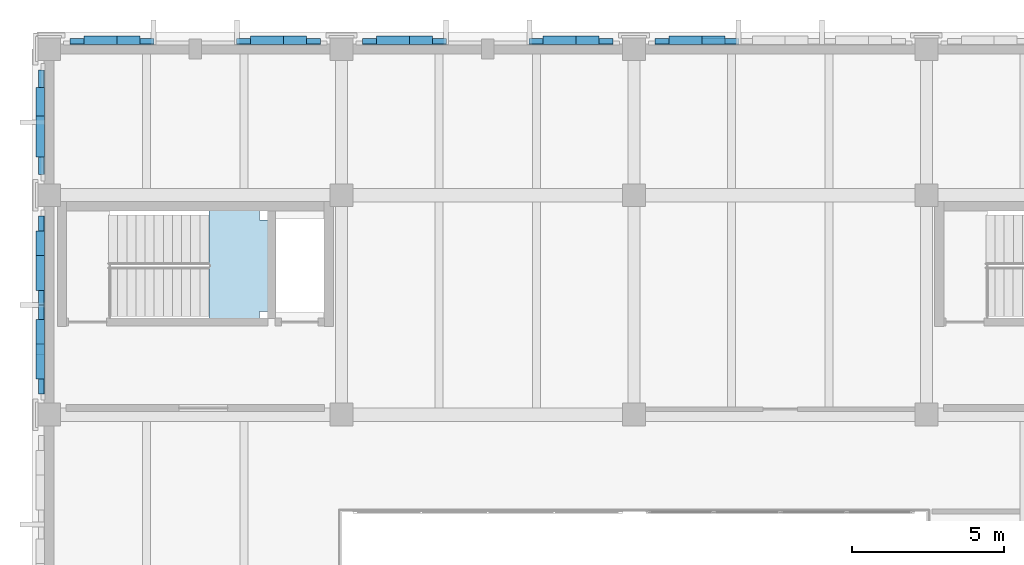
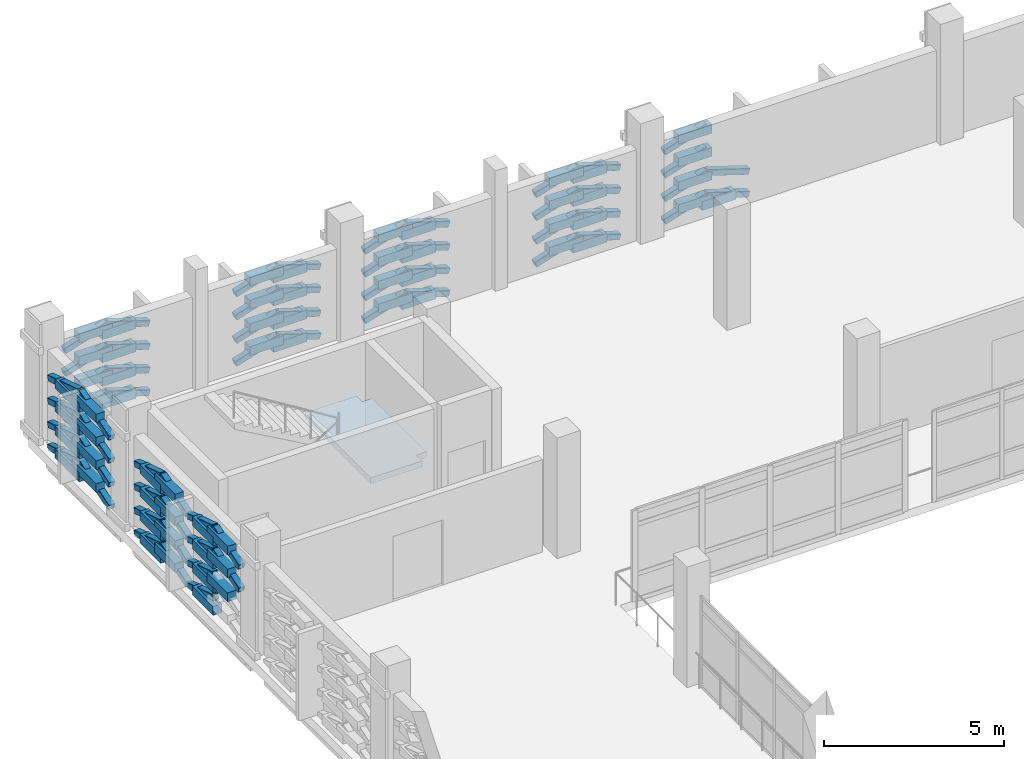
# One storey, part 135 of 180: 120 plates, 1 slab, 1 element without a shape of its own.
"""IFC4 building model written with IfcOpenShell, lengths in metres."""

from ifc_helpers import new_model, si_unit, direction, frame, origin, origin_2d, place, context, subcontext, project, spatial, polyline, rectangle, hollow_rectangle, outline, extrude, material, layer, layer_set, material_profile, profile_set, type_object, element, aggregate, save


model = new_model("IFC4")

# Units and contexts
model_context = context("Model", 3, precision=1e-05, world=origin(), true_north=direction((0.0, 1.0)))
body_context = subcontext(model_context, "Body", "Model", "MODEL_VIEW")
ifc_project = project(units=[si_unit("LENGTHUNIT", "METRE"), si_unit("AREAUNIT", "SQUARE_METRE"), si_unit("VOLUMEUNIT", "CUBIC_METRE"), si_unit("PLANEANGLEUNIT", "RADIAN"), si_unit("MASSUNIT", "GRAM", prefix="KILO")], contexts=[model_context])

# Site, building, storey
site_placement = place(None, origin())
site = spatial("IfcSite", under=ifc_project, at=site_placement, CompositionType="ELEMENT")
building_placement = place(site_placement, origin())
building = spatial("IfcBuilding", under=site, at=building_placement, Name="Asteropetra Specialist Clinic", CompositionType="ELEMENT")
storey_placement = place(building_placement, frame((0.0, 0.0, 4.419921875)))
storey = spatial("IfcBuildingStorey", under=building, at=storey_placement, Name="L01", CompositionType="ELEMENT", Elevation=4.419921875)

# Plates
ifc_material_1 = material(Name="Chevron emerald aluminium 6063-T6", Category="aluminium")
ifc_material_profile = material_profile(ifc_material_1, hollow_rectangle(XDim=0.199951171875, YDim=0.199951171875, WallThickness=0.010009765625, InnerFilletRadius=0.008056640625, OuterFilletRadius=0.01611328125, at=origin_2d()), Name="SHS 200x200x10.0")
ifc_profile_set = profile_set([ifc_material_profile], Name="Chevron emerald aluminium 6063-T6")
plate_type_1 = type_object("IfcPlateType", Name="CHV-RIB-200", PredefinedType="SHEET", material=ifc_profile_set)
for number, where, z_axis, x_axis, name in (
    (1, (8.885009765625, 110.652099609375, 0.050048828125), (-0.95244216645, 0.0, 0.304719411211), (0.0, -1.0, 0.0), "Chevron Facade Screen Fin CVR-0387"),
    (2, (7.53662109375, 110.652099609375, 0.4814453125), (-0.95244216645, 0.0, -0.304719411211), (0.0, -1.0, 0.0), "Chevron Facade Screen Fin CVR-0388"),
    (3, (8.885009765625, 110.652099609375, 0.820068359375), (-0.95244216645, 0.0, 0.304719411211), (0.0, -1.0, 0.0), "Chevron Facade Screen Fin CVR-0389"),
    (4, (7.53662109375, 110.652099609375, 1.25146484375), (-0.95244216645, 0.0, -0.304719411211), (0.0, -1.0, 0.0), "Chevron Facade Screen Fin CVR-0390"),
    (5, (8.885009765625, 110.652099609375, 1.6201171875), (-0.95244216645, 0.0, 0.304719411211), (0.0, -1.0, 0.0), "Chevron Facade Screen Fin CVR-0391"),
    (6, (7.53662109375, 110.652099609375, 2.051513671875), (-0.95244216645, 0.0, -0.304719411211), (0.0, -1.0, 0.0), "Chevron Facade Screen Fin CVR-0392"),
    (7, (8.885009765625, 110.652099609375, 2.400146484375), (-0.95244216645, 0.0, 0.304719411211), (0.0, -1.0, 0.0), "Chevron Facade Screen Fin CVR-0393"),
    (8, (7.53662109375, 110.652099609375, 2.83154296875), (-0.95244216645, 0.0, -0.304719411211), (0.0, -1.0, 0.0), "Chevron Facade Screen Fin CVR-0394"),
    (9, (3.41162109375, 110.652099609375, 0.050048828125), (-0.95244216645, 0.0, 0.304719411211), (0.0, -1.0, 0.0), "Chevron Facade Screen Fin CVR-0395"),
):
    element("IfcPlate", number, at=place(storey_placement, frame(where, z_axis=z_axis, x_axis=x_axis)), inside=storey, type_object=plate_type_1, Name=name, PredefinedType="SHEET", context=body_context, shape_type="SweptSolid", body=[
        extrude(hollow_rectangle(XDim=0.199951171875, YDim=0.199951171875, WallThickness=0.010009765625, InnerFilletRadius=0.008056640625, OuterFilletRadius=0.01611328125, at=origin_2d()), origin(), (0.0, 0.0, 1.0), 1.415771484375),
    ])
plate_1_placement = place(storey_placement, frame((2.063232421875, 110.652099609375, 0.4814453125), z_axis=(-0.952426149832, 0.0, -0.304769468807), x_axis=(0.0, -1.0, 0.0)))
element("IfcPlate", 10, at=plate_1_placement, inside=storey, type_object=plate_type_1, Name="Chevron Facade Screen Fin CVR-0396", PredefinedType="SHEET", context=body_context, shape_type="SweptSolid", body=[
    extrude(hollow_rectangle(XDim=0.199951171875, YDim=0.199951171875, WallThickness=0.010009765625, InnerFilletRadius=0.008056640625, OuterFilletRadius=0.01611328125, at=origin_2d()), origin(), (0.0, 0.0, 1.0), 1.41552734375),
])
plate_2_placement = place(storey_placement, frame((3.41162109375, 110.652099609375, 0.820068359375), z_axis=(-0.95244216645, 0.0, 0.304719411211), x_axis=(0.0, -1.0, 0.0)))
element("IfcPlate", 11, at=plate_2_placement, inside=storey, type_object=plate_type_1, Name="Chevron Facade Screen Fin CVR-0397", PredefinedType="SHEET", context=body_context, shape_type="SweptSolid", body=[
    extrude(hollow_rectangle(XDim=0.199951171875, YDim=0.199951171875, WallThickness=0.010009765625, InnerFilletRadius=0.008056640625, OuterFilletRadius=0.01611328125, at=origin_2d()), origin(), (0.0, 0.0, 1.0), 1.415771484375),
])
plate_3_placement = place(storey_placement, frame((2.063232421875, 110.652099609375, 1.25146484375), z_axis=(-0.952426149832, 0.0, -0.304769468807), x_axis=(0.0, -1.0, 0.0)))
element("IfcPlate", 12, at=plate_3_placement, inside=storey, type_object=plate_type_1, Name="Chevron Facade Screen Fin CVR-0398", PredefinedType="SHEET", context=body_context, shape_type="SweptSolid", body=[
    extrude(hollow_rectangle(XDim=0.199951171875, YDim=0.199951171875, WallThickness=0.010009765625, InnerFilletRadius=0.008056640625, OuterFilletRadius=0.01611328125, at=origin_2d()), origin(), (0.0, 0.0, 1.0), 1.41552734375),
])
plate_4_placement = place(storey_placement, frame((3.41162109375, 110.652099609375, 1.6201171875), z_axis=(-0.95244216645, 0.0, 0.304719411211), x_axis=(0.0, -1.0, 0.0)))
element("IfcPlate", 13, at=plate_4_placement, inside=storey, type_object=plate_type_1, Name="Chevron Facade Screen Fin CVR-0399", PredefinedType="SHEET", context=body_context, shape_type="SweptSolid", body=[
    extrude(hollow_rectangle(XDim=0.199951171875, YDim=0.199951171875, WallThickness=0.010009765625, InnerFilletRadius=0.008056640625, OuterFilletRadius=0.01611328125, at=origin_2d()), origin(), (0.0, 0.0, 1.0), 1.415771484375),
])
plate_5_placement = place(storey_placement, frame((2.063232421875, 110.652099609375, 2.051513671875), z_axis=(-0.952426149832, 0.0, -0.304769468807), x_axis=(0.0, -1.0, 0.0)))
element("IfcPlate", 14, at=plate_5_placement, inside=storey, type_object=plate_type_1, Name="Chevron Facade Screen Fin CVR-0400", PredefinedType="SHEET", context=body_context, shape_type="SweptSolid", body=[
    extrude(hollow_rectangle(XDim=0.199951171875, YDim=0.199951171875, WallThickness=0.010009765625, InnerFilletRadius=0.008056640625, OuterFilletRadius=0.01611328125, at=origin_2d()), origin(), (0.0, 0.0, 1.0), 1.41552734375),
])
plate_6_placement = place(storey_placement, frame((3.41162109375, 110.652099609375, 2.400146484375), z_axis=(-0.95244216645, 0.0, 0.304719411211), x_axis=(0.0, -1.0, 0.0)))
element("IfcPlate", 15, at=plate_6_placement, inside=storey, type_object=plate_type_1, Name="Chevron Facade Screen Fin CVR-0401", PredefinedType="SHEET", context=body_context, shape_type="SweptSolid", body=[
    extrude(hollow_rectangle(XDim=0.199951171875, YDim=0.199951171875, WallThickness=0.010009765625, InnerFilletRadius=0.008056640625, OuterFilletRadius=0.01611328125, at=origin_2d()), origin(), (0.0, 0.0, 1.0), 1.415771484375),
])
plate_7_placement = place(storey_placement, frame((2.063232421875, 110.652099609375, 2.83154296875), z_axis=(-0.952426149832, 0.0, -0.304769468807), x_axis=(0.0, -1.0, 0.0)))
element("IfcPlate", 16, at=plate_7_placement, inside=storey, type_object=plate_type_1, Name="Chevron Facade Screen Fin CVR-0402", PredefinedType="SHEET", context=body_context, shape_type="SweptSolid", body=[
    extrude(hollow_rectangle(XDim=0.199951171875, YDim=0.199951171875, WallThickness=0.010009765625, InnerFilletRadius=0.008056640625, OuterFilletRadius=0.01611328125, at=origin_2d()), origin(), (0.0, 0.0, 1.0), 1.41552734375),
])
for number, where, z_axis, x_axis, name in (
    (17, (18.485107421875, 110.652099609375, 0.050048828125), (-0.95244216645, 0.0, 0.304719411211), (0.0, -1.0, 0.0), "Chevron Facade Screen Fin CVR-0403"),
    (18, (17.13671875, 110.652099609375, 0.4814453125), (-0.95244216645, 0.0, -0.304719411211), (0.0, -1.0, 0.0), "Chevron Facade Screen Fin CVR-0404"),
    (19, (18.485107421875, 110.652099609375, 0.820068359375), (-0.95244216645, 0.0, 0.304719411211), (0.0, -1.0, 0.0), "Chevron Facade Screen Fin CVR-0405"),
    (20, (17.13671875, 110.652099609375, 1.25146484375), (-0.95244216645, 0.0, -0.304719411211), (0.0, -1.0, 0.0), "Chevron Facade Screen Fin CVR-0406"),
    (21, (18.485107421875, 110.652099609375, 1.6201171875), (-0.95244216645, 0.0, 0.304719411211), (0.0, -1.0, 0.0), "Chevron Facade Screen Fin CVR-0407"),
    (22, (17.13671875, 110.652099609375, 2.051513671875), (-0.95244216645, 0.0, -0.304719411211), (0.0, -1.0, 0.0), "Chevron Facade Screen Fin CVR-0408"),
    (23, (18.485107421875, 110.652099609375, 2.400146484375), (-0.95244216645, 0.0, 0.304719411211), (0.0, -1.0, 0.0), "Chevron Facade Screen Fin CVR-0409"),
    (24, (17.13671875, 110.652099609375, 2.83154296875), (-0.95244216645, 0.0, -0.304719411211), (0.0, -1.0, 0.0), "Chevron Facade Screen Fin CVR-0410"),
    (25, (13.01171875, 110.652099609375, 0.050048828125), (-0.95244216645, 0.0, 0.304719411211), (0.0, -1.0, 0.0), "Chevron Facade Screen Fin CVR-0411"),
    (26, (11.663330078125, 110.652099609375, 0.4814453125), (-0.95244216645, 0.0, -0.304719411211), (0.0, -1.0, 0.0), "Chevron Facade Screen Fin CVR-0412"),
    (27, (13.01171875, 110.652099609375, 0.820068359375), (-0.95244216645, 0.0, 0.304719411211), (0.0, -1.0, 0.0), "Chevron Facade Screen Fin CVR-0413"),
    (28, (11.663330078125, 110.652099609375, 1.25146484375), (-0.95244216645, 0.0, -0.304719411211), (0.0, -1.0, 0.0), "Chevron Facade Screen Fin CVR-0414"),
    (29, (13.01171875, 110.652099609375, 1.6201171875), (-0.95244216645, 0.0, 0.304719411211), (0.0, -1.0, 0.0), "Chevron Facade Screen Fin CVR-0415"),
    (30, (11.663330078125, 110.652099609375, 2.051513671875), (-0.95244216645, 0.0, -0.304719411211), (0.0, -1.0, 0.0), "Chevron Facade Screen Fin CVR-0416"),
    (31, (13.01171875, 110.652099609375, 2.400146484375), (-0.95244216645, 0.0, 0.304719411211), (0.0, -1.0, 0.0), "Chevron Facade Screen Fin CVR-0417"),
    (32, (11.663330078125, 110.652099609375, 2.83154296875), (-0.95244216645, 0.0, -0.304719411211), (0.0, -1.0, 0.0), "Chevron Facade Screen Fin CVR-0418"),
):
    element("IfcPlate", number, at=place(storey_placement, frame(where, z_axis=z_axis, x_axis=x_axis)), inside=storey, type_object=plate_type_1, Name=name, PredefinedType="SHEET", context=body_context, shape_type="SweptSolid", body=[
        extrude(hollow_rectangle(XDim=0.199951171875, YDim=0.199951171875, WallThickness=0.010009765625, InnerFilletRadius=0.008056640625, OuterFilletRadius=0.01611328125, at=origin_2d()), origin(), (0.0, 0.0, 1.0), 1.415771484375),
    ])
plate_8_placement = place(storey_placement, frame((22.61181640625, 110.652099609375, 0.050048828125), z_axis=(-0.952458175178, 0.0, 0.304669369214), x_axis=(0.0, -1.0, 0.0)))
element("IfcPlate", 33, at=plate_8_placement, inside=storey, type_object=plate_type_1, Name="Chevron Facade Screen Fin CVR-0435", PredefinedType="SHEET", context=body_context, shape_type="SweptSolid", body=[
    extrude(hollow_rectangle(XDim=0.199951171875, YDim=0.199951171875, WallThickness=0.010009765625, InnerFilletRadius=0.008056640625, OuterFilletRadius=0.01611328125, at=origin_2d()), origin(), (0.0, 0.0, 1.0), 1.416015625),
])
plate_9_placement = place(storey_placement, frame((21.26318359375, 110.652099609375, 0.4814453125), z_axis=(-0.952426149832, 0.0, -0.304769468807), x_axis=(0.0, -1.0, 0.0)))
element("IfcPlate", 34, at=plate_9_placement, inside=storey, type_object=plate_type_1, Name="Chevron Facade Screen Fin CVR-0436", PredefinedType="SHEET", context=body_context, shape_type="SweptSolid", body=[
    extrude(hollow_rectangle(XDim=0.199951171875, YDim=0.199951171875, WallThickness=0.010009765625, InnerFilletRadius=0.008056640625, OuterFilletRadius=0.01611328125, at=origin_2d()), origin(), (0.0, 0.0, 1.0), 1.41552734375),
])
plate_10_placement = place(storey_placement, frame((22.61181640625, 110.652099609375, 0.820068359375), z_axis=(-0.952458175178, 0.0, 0.304669369214), x_axis=(0.0, -1.0, 0.0)))
element("IfcPlate", 35, at=plate_10_placement, inside=storey, type_object=plate_type_1, Name="Chevron Facade Screen Fin CVR-0437", PredefinedType="SHEET", context=body_context, shape_type="SweptSolid", body=[
    extrude(hollow_rectangle(XDim=0.199951171875, YDim=0.199951171875, WallThickness=0.010009765625, InnerFilletRadius=0.008056640625, OuterFilletRadius=0.01611328125, at=origin_2d()), origin(), (0.0, 0.0, 1.0), 1.416015625),
])
for number, where, z_axis, x_axis, name in (
    (36, (21.26318359375, 110.652099609375, 1.25146484375), (-0.952426149832, 0.0, -0.304769468807), (0.0, -1.0, 0.0), "Chevron Facade Screen Fin CVR-0438"),
    (37, (21.26318359375, 110.652099609375, 2.051513671875), (-0.952426149832, 0.0, -0.304769468807), (0.0, -1.0, 0.0), "Chevron Facade Screen Fin CVR-0440"),
    (38, (21.26318359375, 110.652099609375, 2.83154296875), (-0.952426149832, 0.0, -0.304769468807), (0.0, -1.0, 0.0), "Chevron Facade Screen Fin CVR-0442"),
):
    element("IfcPlate", number, at=place(storey_placement, frame(where, z_axis=z_axis, x_axis=x_axis)), inside=storey, type_object=plate_type_1, Name=name, PredefinedType="SHEET", context=body_context, shape_type="SweptSolid", body=[
        extrude(hollow_rectangle(XDim=0.199951171875, YDim=0.199951171875, WallThickness=0.010009765625, InnerFilletRadius=0.008056640625, OuterFilletRadius=0.01611328125, at=origin_2d()), origin(), (0.0, 0.0, 1.0), 1.41552734375),
    ])
plate_11_placement = place(storey_placement, frame((-0.251953125, 104.885009765625, 0.050048828125), z_axis=(0.0, -0.952507040007, 0.304516565619), x_axis=(1.0, 0.0, 0.0)))
element("IfcPlate", 39, at=plate_11_placement, inside=storey, type_object=plate_type_1, Name="Chevron Facade Screen Fin CVR-0779", PredefinedType="SHEET", context=body_context, shape_type="SweptSolid", body=[
    extrude(hollow_rectangle(XDim=0.199951171875, YDim=0.199951171875, WallThickness=0.010009765625, InnerFilletRadius=0.008056640625, OuterFilletRadius=0.01611328125, at=origin_2d()), origin(), (0.0, 0.0, 1.0), 1.504150390625),
])
plate_12_placement = place(storey_placement, frame((-0.251953125, 103.452392578125, 0.508056640625), z_axis=(0.0, -0.952491984317, -0.304563654777), x_axis=(1.0, 0.0, 0.0)))
element("IfcPlate", 40, at=plate_12_placement, inside=storey, type_object=plate_type_1, Name="Chevron Facade Screen Fin CVR-0780", PredefinedType="SHEET", context=body_context, shape_type="SweptSolid", body=[
    extrude(hollow_rectangle(XDim=0.199951171875, YDim=0.199951171875, WallThickness=0.010009765625, InnerFilletRadius=0.008056640625, OuterFilletRadius=0.01611328125, at=origin_2d()), origin(), (0.0, 0.0, 1.0), 1.50390625),
])
plate_13_placement = place(storey_placement, frame((-0.251953125, 104.885009765625, 0.820068359375), z_axis=(0.0, -0.952507040007, 0.304516565619), x_axis=(1.0, 0.0, 0.0)))
element("IfcPlate", 41, at=plate_13_placement, inside=storey, type_object=plate_type_1, Name="Chevron Facade Screen Fin CVR-0781", PredefinedType="SHEET", context=body_context, shape_type="SweptSolid", body=[
    extrude(hollow_rectangle(XDim=0.199951171875, YDim=0.199951171875, WallThickness=0.010009765625, InnerFilletRadius=0.008056640625, OuterFilletRadius=0.01611328125, at=origin_2d()), origin(), (0.0, 0.0, 1.0), 1.504150390625),
])
plate_14_placement = place(storey_placement, frame((-0.251953125, 103.452392578125, 1.278076171875), z_axis=(0.0, -0.952491984317, -0.304563654777), x_axis=(1.0, 0.0, 0.0)))
element("IfcPlate", 42, at=plate_14_placement, inside=storey, type_object=plate_type_1, Name="Chevron Facade Screen Fin CVR-0782", PredefinedType="SHEET", context=body_context, shape_type="SweptSolid", body=[
    extrude(hollow_rectangle(XDim=0.199951171875, YDim=0.199951171875, WallThickness=0.010009765625, InnerFilletRadius=0.008056640625, OuterFilletRadius=0.01611328125, at=origin_2d()), origin(), (0.0, 0.0, 1.0), 1.50390625),
])
plate_15_placement = place(storey_placement, frame((-0.251953125, 104.885009765625, 1.6201171875), z_axis=(0.0, -0.952507040007, 0.304516565619), x_axis=(1.0, 0.0, 0.0)))
element("IfcPlate", 43, at=plate_15_placement, inside=storey, type_object=plate_type_1, Name="Chevron Facade Screen Fin CVR-0783", PredefinedType="SHEET", context=body_context, shape_type="SweptSolid", body=[
    extrude(hollow_rectangle(XDim=0.199951171875, YDim=0.199951171875, WallThickness=0.010009765625, InnerFilletRadius=0.008056640625, OuterFilletRadius=0.01611328125, at=origin_2d()), origin(), (0.0, 0.0, 1.0), 1.504150390625),
])
plate_16_placement = place(storey_placement, frame((-0.251953125, 103.452392578125, 2.078125), z_axis=(0.0, -0.952491984317, -0.304563654777), x_axis=(1.0, 0.0, 0.0)))
element("IfcPlate", 44, at=plate_16_placement, inside=storey, type_object=plate_type_1, Name="Chevron Facade Screen Fin CVR-0784", PredefinedType="SHEET", context=body_context, shape_type="SweptSolid", body=[
    extrude(hollow_rectangle(XDim=0.199951171875, YDim=0.199951171875, WallThickness=0.010009765625, InnerFilletRadius=0.008056640625, OuterFilletRadius=0.01611328125, at=origin_2d()), origin(), (0.0, 0.0, 1.0), 1.50390625),
])
plate_17_placement = place(storey_placement, frame((-0.251953125, 104.885009765625, 2.400146484375), z_axis=(0.0, -0.952507040007, 0.304516565619), x_axis=(1.0, 0.0, 0.0)))
element("IfcPlate", 45, at=plate_17_placement, inside=storey, type_object=plate_type_1, Name="Chevron Facade Screen Fin CVR-0785", PredefinedType="SHEET", context=body_context, shape_type="SweptSolid", body=[
    extrude(hollow_rectangle(XDim=0.199951171875, YDim=0.199951171875, WallThickness=0.010009765625, InnerFilletRadius=0.008056640625, OuterFilletRadius=0.01611328125, at=origin_2d()), origin(), (0.0, 0.0, 1.0), 1.504150390625),
])
for number, where, z_axis, x_axis, name in (
    (46, (-0.251953125, 103.452392578125, 2.858154296875), (0.0, -0.952491984317, -0.304563654777), (1.0, 0.0, 0.0), "Chevron Facade Screen Fin CVR-0786"),
    (47, (-0.251953125, 101.97998046875, 0.050048828125), (0.0, -0.952491984317, 0.304563654777), (1.0, 0.0, 0.0), "Chevron Facade Screen Fin CVR-0787"),
    (48, (-0.251953125, 101.97998046875, 0.820068359375), (0.0, -0.952491984317, 0.304563654777), (1.0, 0.0, 0.0), "Chevron Facade Screen Fin CVR-0789"),
    (49, (-0.251953125, 101.97998046875, 1.6201171875), (0.0, -0.952491984317, 0.304563654777), (1.0, 0.0, 0.0), "Chevron Facade Screen Fin CVR-0791"),
):
    element("IfcPlate", number, at=place(storey_placement, frame(where, z_axis=z_axis, x_axis=x_axis)), inside=storey, type_object=plate_type_1, Name=name, PredefinedType="SHEET", context=body_context, shape_type="SweptSolid", body=[
        extrude(hollow_rectangle(XDim=0.199951171875, YDim=0.199951171875, WallThickness=0.010009765625, InnerFilletRadius=0.008056640625, OuterFilletRadius=0.01611328125, at=origin_2d()), origin(), (0.0, 0.0, 1.0), 1.50390625),
    ])
plate_18_placement = place(storey_placement, frame((-0.251953125, 100.547607421875, 2.078125), z_axis=(0.0, -0.952507040007, -0.304516565619), x_axis=(1.0, 0.0, 0.0)))
element("IfcPlate", 50, at=plate_18_placement, inside=storey, type_object=plate_type_1, Name="Chevron Facade Screen Fin CVR-0792", PredefinedType="SHEET", context=body_context, shape_type="SweptSolid", body=[
    extrude(hollow_rectangle(XDim=0.199951171875, YDim=0.199951171875, WallThickness=0.010009765625, InnerFilletRadius=0.008056640625, OuterFilletRadius=0.01611328125, at=origin_2d()), origin(), (0.0, 0.0, 1.0), 1.504150390625),
])
plate_19_placement = place(storey_placement, frame((-0.251953125, 101.97998046875, 2.400146484375), z_axis=(0.0, -0.952491984317, 0.304563654777), x_axis=(1.0, 0.0, 0.0)))
element("IfcPlate", 51, at=plate_19_placement, inside=storey, type_object=plate_type_1, Name="Chevron Facade Screen Fin CVR-0793", PredefinedType="SHEET", context=body_context, shape_type="SweptSolid", body=[
    extrude(hollow_rectangle(XDim=0.199951171875, YDim=0.199951171875, WallThickness=0.010009765625, InnerFilletRadius=0.008056640625, OuterFilletRadius=0.01611328125, at=origin_2d()), origin(), (0.0, 0.0, 1.0), 1.50390625),
])
plate_20_placement = place(storey_placement, frame((-0.251953125, 100.547607421875, 2.858154296875), z_axis=(0.0, -0.952507040007, -0.304516565619), x_axis=(1.0, 0.0, 0.0)))
element("IfcPlate", 52, at=plate_20_placement, inside=storey, type_object=plate_type_1, Name="Chevron Facade Screen Fin CVR-0794", PredefinedType="SHEET", context=body_context, shape_type="SweptSolid", body=[
    extrude(hollow_rectangle(XDim=0.199951171875, YDim=0.199951171875, WallThickness=0.010009765625, InnerFilletRadius=0.008056640625, OuterFilletRadius=0.01611328125, at=origin_2d()), origin(), (0.0, 0.0, 1.0), 1.504150390625),
])
for number, where, z_axis, x_axis, name in (
    (53, (-0.251953125, 109.68505859375, 0.050048828125), (0.0, -0.952689829529, 0.303944219737), (1.0, 0.0, 0.0), "Chevron Facade Screen Fin CVR-0811"),
    (54, (-0.251953125, 108.0, 0.587646484375), (0.0, -0.952689829529, -0.303944219737), (1.0, 0.0, 0.0), "Chevron Facade Screen Fin CVR-0812"),
    (55, (-0.251953125, 109.68505859375, 0.820068359375), (0.0, -0.952689829529, 0.303944219737), (1.0, 0.0, 0.0), "Chevron Facade Screen Fin CVR-0813"),
    (56, (-0.251953125, 108.0, 1.357666015625), (0.0, -0.952689829529, -0.303944219737), (1.0, 0.0, 0.0), "Chevron Facade Screen Fin CVR-0814"),
    (57, (-0.251953125, 109.68505859375, 1.6201171875), (0.0, -0.952689829529, 0.303944219737), (1.0, 0.0, 0.0), "Chevron Facade Screen Fin CVR-0815"),
    (58, (-0.251953125, 108.0, 2.15771484375), (0.0, -0.952689829529, -0.303944219737), (1.0, 0.0, 0.0), "Chevron Facade Screen Fin CVR-0816"),
    (59, (-0.251953125, 109.68505859375, 2.400146484375), (0.0, -0.952689829529, 0.303944219737), (1.0, 0.0, 0.0), "Chevron Facade Screen Fin CVR-0817"),
    (60, (-0.251953125, 108.0, 2.937744140625), (0.0, -0.952689829529, -0.303944219737), (1.0, 0.0, 0.0), "Chevron Facade Screen Fin CVR-0818"),
):
    element("IfcPlate", number, at=place(storey_placement, frame(where, z_axis=z_axis, x_axis=x_axis)), inside=storey, type_object=plate_type_1, Name=name, PredefinedType="SHEET", context=body_context, shape_type="SweptSolid", body=[
        extrude(hollow_rectangle(XDim=0.199951171875, YDim=0.199951171875, WallThickness=0.010009765625, InnerFilletRadius=0.008056640625, OuterFilletRadius=0.01611328125, at=origin_2d()), origin(), (0.0, 0.0, 1.0), 1.768798828125),
    ])
ifc_material_2 = material(Name="Aluminium 6063-T6", Category="aluminium")
ifc_layer_1 = layer(ifc_material_2, 0.139892578125)
ifc_layer_set_1 = layer_set([ifc_layer_1], Name="Aluminium 6063-T6")
plate_type_2 = type_object("IfcPlateType", Name="PLT-CHV-TILE", PredefinedType="SHEET", material=ifc_layer_set_1)
for number, where, z_axis, x_axis, name in (
    (61, (7.914306640625, 110.68994140625, 0.029296875), (0.0, 0.0, 1.0), (1.0, 0.0, 0.0), "Chevron Ceramic Panel CPT-0025"),
    (62, (7.1591796875, 110.68994140625, 0.193359375), (0.0, 0.0, 1.0), (1.0, 0.0, 0.0), "Chevron Ceramic Panel CPT-0026"),
    (63, (7.914306640625, 110.68994140625, 0.79931640625), (0.0, 0.0, 1.0), (1.0, 0.0, 0.0), "Chevron Ceramic Panel CPT-0027"),
    (64, (7.1591796875, 110.68994140625, 0.96337890625), (0.0, 0.0, 1.0), (1.0, 0.0, 0.0), "Chevron Ceramic Panel CPT-0028"),
    (65, (7.914306640625, 110.68994140625, 1.599609375), (0.0, 0.0, 1.0), (1.0, 0.0, 0.0), "Chevron Ceramic Panel CPT-0029"),
    (66, (7.1591796875, 110.68994140625, 1.763671875), (0.0, 0.0, 1.0), (1.0, 0.0, 0.0), "Chevron Ceramic Panel CPT-0030"),
    (67, (7.914306640625, 110.68994140625, 2.37939453125), (0.0, 0.0, 1.0), (1.0, 0.0, 0.0), "Chevron Ceramic Panel CPT-0031"),
    (68, (7.1591796875, 110.68994140625, 2.54345703125), (0.0, 0.0, 1.0), (1.0, 0.0, 0.0), "Chevron Ceramic Panel CPT-0032"),
    (69, (2.44091796875, 110.68994140625, 0.029296875), (0.0, 0.0, 1.0), (1.0, 0.0, 0.0), "Chevron Ceramic Panel CPT-0033"),
    (70, (1.685791015625, 110.68994140625, 0.193359375), (0.0, 0.0, 1.0), (1.0, 0.0, 0.0), "Chevron Ceramic Panel CPT-0034"),
    (71, (2.44091796875, 110.68994140625, 0.79931640625), (0.0, 0.0, 1.0), (1.0, 0.0, 0.0), "Chevron Ceramic Panel CPT-0035"),
    (72, (1.685791015625, 110.68994140625, 0.96337890625), (0.0, 0.0, 1.0), (1.0, 0.0, 0.0), "Chevron Ceramic Panel CPT-0036"),
    (73, (2.44091796875, 110.68994140625, 1.599609375), (0.0, 0.0, 1.0), (1.0, 0.0, 0.0), "Chevron Ceramic Panel CPT-0037"),
    (74, (1.685791015625, 110.68994140625, 1.763671875), (0.0, 0.0, 1.0), (1.0, 0.0, 0.0), "Chevron Ceramic Panel CPT-0038"),
    (75, (2.44091796875, 110.68994140625, 2.37939453125), (0.0, 0.0, 1.0), (1.0, 0.0, 0.0), "Chevron Ceramic Panel CPT-0039"),
    (76, (1.685791015625, 110.68994140625, 2.54345703125), (0.0, 0.0, 1.0), (1.0, 0.0, 0.0), "Chevron Ceramic Panel CPT-0040"),
    (77, (17.51416015625, 110.68994140625, 0.029296875), (0.0, 0.0, 1.0), (1.0, 0.0, 0.0), "Chevron Ceramic Panel CPT-0041"),
    (78, (16.759033203125, 110.68994140625, 0.193359375), (0.0, 0.0, 1.0), (1.0, 0.0, 0.0), "Chevron Ceramic Panel CPT-0042"),
    (79, (17.51416015625, 110.68994140625, 0.79931640625), (0.0, 0.0, 1.0), (1.0, 0.0, 0.0), "Chevron Ceramic Panel CPT-0043"),
    (80, (16.759033203125, 110.68994140625, 0.96337890625), (0.0, 0.0, 1.0), (1.0, 0.0, 0.0), "Chevron Ceramic Panel CPT-0044"),
    (81, (17.51416015625, 110.68994140625, 1.599609375), (0.0, 0.0, 1.0), (1.0, 0.0, 0.0), "Chevron Ceramic Panel CPT-0045"),
    (82, (16.759033203125, 110.68994140625, 1.763671875), (0.0, 0.0, 1.0), (1.0, 0.0, 0.0), "Chevron Ceramic Panel CPT-0046"),
    (83, (17.51416015625, 110.68994140625, 2.37939453125), (0.0, 0.0, 1.0), (1.0, 0.0, 0.0), "Chevron Ceramic Panel CPT-0047"),
    (84, (16.759033203125, 110.68994140625, 2.54345703125), (0.0, 0.0, 1.0), (1.0, 0.0, 0.0), "Chevron Ceramic Panel CPT-0048"),
    (85, (12.041015625, 110.68994140625, 0.029296875), (0.0, 0.0, 1.0), (1.0, 0.0, 0.0), "Chevron Ceramic Panel CPT-0049"),
    (86, (11.285888671875, 110.68994140625, 0.193359375), (0.0, 0.0, 1.0), (1.0, 0.0, 0.0), "Chevron Ceramic Panel CPT-0050"),
    (87, (12.041015625, 110.68994140625, 0.79931640625), (0.0, 0.0, 1.0), (1.0, 0.0, 0.0), "Chevron Ceramic Panel CPT-0051"),
    (88, (11.285888671875, 110.68994140625, 0.96337890625), (0.0, 0.0, 1.0), (1.0, 0.0, 0.0), "Chevron Ceramic Panel CPT-0052"),
    (89, (12.041015625, 110.68994140625, 1.599609375), (0.0, 0.0, 1.0), (1.0, 0.0, 0.0), "Chevron Ceramic Panel CPT-0053"),
    (90, (11.285888671875, 110.68994140625, 1.763671875), (0.0, 0.0, 1.0), (1.0, 0.0, 0.0), "Chevron Ceramic Panel CPT-0054"),
    (91, (12.041015625, 110.68994140625, 2.37939453125), (0.0, 0.0, 1.0), (1.0, 0.0, 0.0), "Chevron Ceramic Panel CPT-0055"),
    (92, (11.285888671875, 110.68994140625, 2.54345703125), (0.0, 0.0, 1.0), (1.0, 0.0, 0.0), "Chevron Ceramic Panel CPT-0056"),
    (93, (21.640869140625, 110.68994140625, 0.029296875), (0.0, 0.0, 1.0), (1.0, 0.0, 0.0), "Chevron Ceramic Panel CPT-0073"),
    (94, (20.8857421875, 110.68994140625, 0.193359375), (0.0, 0.0, 1.0), (1.0, 0.0, 0.0), "Chevron Ceramic Panel CPT-0074"),
    (95, (20.8857421875, 110.68994140625, 0.96337890625), (0.0, 0.0, 1.0), (1.0, 0.0, 0.0), "Chevron Ceramic Panel CPT-0076"),
    (96, (20.8857421875, 110.68994140625, 1.763671875), (0.0, 0.0, 1.0), (1.0, 0.0, 0.0), "Chevron Ceramic Panel CPT-0078"),
    (97, (20.8857421875, 110.68994140625, 2.54345703125), (0.0, 0.0, 1.0), (1.0, 0.0, 0.0), "Chevron Ceramic Panel CPT-0080"),
):
    element("IfcPlate", number, at=place(storey_placement, frame(where, z_axis=z_axis, x_axis=x_axis)), inside=storey, type_object=plate_type_2, Name=name, PredefinedType="SHEET", context=body_context, shape_type="SweptSolid", body=[
        extrude(rectangle(XDim=1.0791015625, YDim=0.280029296875, at=origin_2d()), origin(), (0.0, 0.0, 1.0), 0.300048828125),
    ])
for number, where, z_axis, x_axis, name in (
    (98, (-0.2900390625, 103.853515625, 0.03759765625), (0.0, 0.0, 1.0), (1.0, 0.0, 0.0), "Chevron Ceramic Panel CPT-0417"),
    (99, (-0.2900390625, 103.051513671875, 0.21142578125), (0.0, 0.0, 1.0), (1.0, 0.0, 0.0), "Chevron Ceramic Panel CPT-0418"),
    (100, (-0.2900390625, 103.853515625, 0.8076171875), (0.0, 0.0, 1.0), (1.0, 0.0, 0.0), "Chevron Ceramic Panel CPT-0419"),
    (101, (-0.2900390625, 103.051513671875, 0.9814453125), (0.0, 0.0, 1.0), (1.0, 0.0, 0.0), "Chevron Ceramic Panel CPT-0420"),
    (102, (-0.2900390625, 103.853515625, 1.607421875), (0.0, 0.0, 1.0), (1.0, 0.0, 0.0), "Chevron Ceramic Panel CPT-0421"),
    (103, (-0.2900390625, 103.051513671875, 1.78125), (0.0, 0.0, 1.0), (1.0, 0.0, 0.0), "Chevron Ceramic Panel CPT-0422"),
    (104, (-0.2900390625, 103.853515625, 2.3876953125), (0.0, 0.0, 1.0), (1.0, 0.0, 0.0), "Chevron Ceramic Panel CPT-0423"),
    (105, (-0.2900390625, 103.051513671875, 2.5615234375), (0.0, 0.0, 1.0), (1.0, 0.0, 0.0), "Chevron Ceramic Panel CPT-0424"),
    (106, (-0.2900390625, 100.948486328125, 0.03759765625), (0.0, 0.0, 1.0), (1.0, 0.0, 0.0), "Chevron Ceramic Panel CPT-0425"),
    (107, (-0.2900390625, 100.948486328125, 0.8076171875), (0.0, 0.0, 1.0), (1.0, 0.0, 0.0), "Chevron Ceramic Panel CPT-0427"),
    (108, (-0.2900390625, 100.146484375, 0.9814453125), (0.0, 0.0, 1.0), (1.0, 0.0, 0.0), "Chevron Ceramic Panel CPT-0428"),
    (109, (-0.2900390625, 100.948486328125, 1.607421875), (0.0, 0.0, 1.0), (1.0, 0.0, 0.0), "Chevron Ceramic Panel CPT-0429"),
    (110, (-0.2900390625, 100.146484375, 1.78125), (0.0, 0.0, 1.0), (1.0, 0.0, 0.0), "Chevron Ceramic Panel CPT-0430"),
    (111, (-0.2900390625, 100.948486328125, 2.3876953125), (0.0, 0.0, 1.0), (1.0, 0.0, 0.0), "Chevron Ceramic Panel CPT-0431"),
    (112, (-0.2900390625, 100.146484375, 2.5615234375), (0.0, 0.0, 1.0), (1.0, 0.0, 0.0), "Chevron Ceramic Panel CPT-0432"),
):
    element("IfcPlate", number, at=place(storey_placement, frame(where, z_axis=z_axis, x_axis=x_axis)), inside=storey, type_object=plate_type_2, Name=name, PredefinedType="SHEET", context=body_context, shape_type="SweptSolid", body=[
        extrude(rectangle(XDim=0.280029296875, YDim=1.14599609375, at=origin_2d()), origin(), (0.0, 0.0, 1.0), 0.300048828125),
    ])
for number, where, z_axis, x_axis, name in (
    (113, (-0.2900390625, 108.4716796875, 0.0615234375), (0.0, 0.0, 1.0), (1.0, 0.0, 0.0), "Chevron Ceramic Panel CPT-0449"),
    (114, (-0.2900390625, 107.5283203125, 0.265625), (0.0, 0.0, 1.0), (1.0, 0.0, 0.0), "Chevron Ceramic Panel CPT-0450"),
    (115, (-0.2900390625, 108.4716796875, 0.83154296875), (0.0, 0.0, 1.0), (1.0, 0.0, 0.0), "Chevron Ceramic Panel CPT-0451"),
    (116, (-0.2900390625, 107.5283203125, 1.03564453125), (0.0, 0.0, 1.0), (1.0, 0.0, 0.0), "Chevron Ceramic Panel CPT-0452"),
    (117, (-0.2900390625, 108.4716796875, 1.63134765625), (0.0, 0.0, 1.0), (1.0, 0.0, 0.0), "Chevron Ceramic Panel CPT-0453"),
    (118, (-0.2900390625, 107.5283203125, 1.83544921875), (0.0, 0.0, 1.0), (1.0, 0.0, 0.0), "Chevron Ceramic Panel CPT-0454"),
    (119, (-0.2900390625, 108.4716796875, 2.4111328125), (0.0, 0.0, 1.0), (1.0, 0.0, 0.0), "Chevron Ceramic Panel CPT-0455"),
    (120, (-0.2900390625, 107.5283203125, 2.61572265625), (0.0, 0.0, 1.0), (1.0, 0.0, 0.0), "Chevron Ceramic Panel CPT-0456"),
):
    element("IfcPlate", number, at=place(storey_placement, frame(where, z_axis=z_axis, x_axis=x_axis)), inside=storey, type_object=plate_type_2, Name=name, PredefinedType="SHEET", context=body_context, shape_type="SweptSolid", body=[
        extrude(rectangle(XDim=0.280029296875, YDim=1.347900390625, at=origin_2d()), origin(), (0.0, 0.0, 1.0), 0.300048828125),
    ])

# Stair, slab
ifc_material_3 = material(Name="Concrete C35/45", Category="concrete")
stair_type = type_object("IfcStairType", Name="STR-DOG-165", PredefinedType="TWO_STRAIGHT_RUN_STAIR", material=ifc_material_3)
stair_placement = place(storey_placement, origin())
stair = element("IfcStair", 121, at=stair_placement, inside=storey, type_object=stair_type, Name="Type I Stair ST01-L01", PredefinedType="TWO_STRAIGHT_RUN_STAIR")
ifc_material_4 = material(Name="Concrete C35/45", Category="concrete")
ifc_layer_2 = layer(ifc_material_4, 0.199951171875)
ifc_layer_set_2 = layer_set([ifc_layer_2], Name="Concrete C35/45")
slab_type = type_object("IfcSlabType", Name="SLB-LND-200", PredefinedType="LANDING", material=ifc_layer_set_2)
slab_placement = place(storey_placement, frame((0.0, 0.0, 1.840087890625)))
slab = element("IfcSlab", 122, at=slab_placement, type_object=slab_type, Name="ST01-L01 landing 1", PredefinedType="LANDING", context=body_context, shape_type="SweptSolid", body=[
    extrude(outline(polyline([(5.25, 101.469970703125), (6.89990234375, 101.469970703125), (6.89990234375, 101.7900390625), (7.219970703125, 101.7900390625), (7.219970703125, 104.7900390625), (6.89990234375, 104.7900390625), (6.89990234375, 105.110107421875), (5.25, 105.110107421875), (5.25, 101.469970703125)])), origin(), (0.0, 0.0, 1.0), 0.199951171875),
])
aggregate(stair, [slab])

save(model, "model.ifc")
